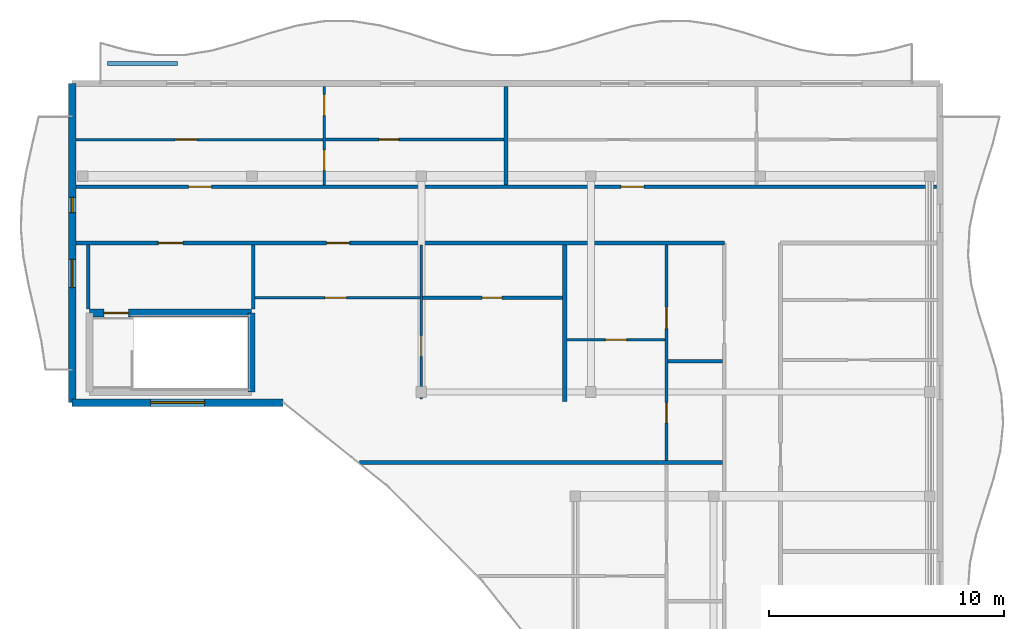
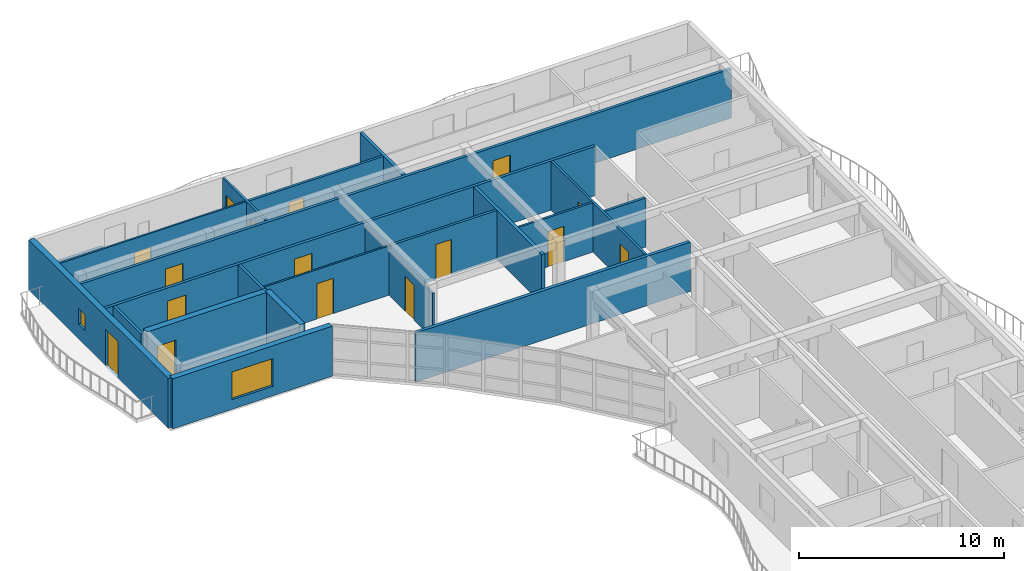
# One storey, part 10 of 14: 21 walls, 16 doors, 2 windows, 18 openings.
"""IFC4 building model written with IfcOpenShell, lengths in metres."""

from ifc_helpers import new_model, si_unit, direction, frame, frame_2d, origin, place, context, subcontext, project, spatial, rectangle, extrude, material, layer, layer_set, type_object, element, fill, save


model = new_model("IFC4")

# Units and contexts
model_context = context("Model", 3, precision=1e-05, world=origin(), true_north=direction((0.0, 1.0)))
body_context = subcontext(model_context, "Body", "Model", "MODEL_VIEW")
ifc_project = project(units=[si_unit("LENGTHUNIT", "METRE"), si_unit("AREAUNIT", "SQUARE_METRE"), si_unit("VOLUMEUNIT", "CUBIC_METRE"), si_unit("PLANEANGLEUNIT", "RADIAN"), si_unit("MASSUNIT", "GRAM", prefix="KILO")], contexts=[model_context])

# Site, building, storey
site_placement = place(None, origin())
site = spatial("IfcSite", under=ifc_project, at=site_placement, CompositionType="ELEMENT")
building_placement = place(site_placement, origin())
building = spatial("IfcBuilding", under=site, at=building_placement, Name="Keldmere Railside Commons", CompositionType="ELEMENT")
storey_placement = place(building_placement, frame((0.0, 0.0, 42.56005859375)))
storey = spatial("IfcBuildingStorey", under=building, at=storey_placement, Name="L13", CompositionType="ELEMENT", Elevation=42.56005859375)

# Walls
ifc_material_1 = material(Name="Acoustic Gypsum Board Partition", Category="gypsum")
ifc_layer_1 = layer(ifc_material_1, 0.179931640625, Name="Acoustic Demising Partition 180")
ifc_layer_set_1 = layer_set([ifc_layer_1], Name="Acoustic Gypsum Board Partition")
wall_type_1 = type_object("IfcWallType", Name="Acoustic Demising Partition 180", PredefinedType="PARTITIONING", material=ifc_layer_set_1)
wall_1_placement = place(storey_placement, frame((168.0, 100.050048828125, 0.0), z_axis=(0.0, 0.0, 1.0), x_axis=(0.0, 1.0, 0.0)))
element("IfcWall", 1, at=wall_1_placement, inside=storey, type_object=wall_type_1, Name="IW-1 IW-L13-1940", PredefinedType="PARTITIONING", context=body_context, shape_type="SweptSolid", body=[
    extrude(rectangle(XDim=6.669921875, YDim=0.179931640625, at=frame_2d((3.3349609375, 0.0))), origin(), (0.0, 0.0, 1.0), 2.93505859375),
])
wall_2_placement = place(storey_placement, frame((159.2548828125, 97.43994140625, 0.0), z_axis=(0.0, 0.0, 1.0), x_axis=(1.0, 0.0, 0.0)))
element("IfcWall", 2, at=wall_2_placement, inside=storey, type_object=wall_type_1, Name="IW-1 IW-L13-1945", PredefinedType="PARTITIONING", context=body_context, shape_type="SweptSolid", body=[
    extrude(rectangle(XDim=15.465087890625, YDim=0.179931640625, at=frame_2d((7.732421875, 0.0))), origin(), (0.0, 0.0, 1.0), 2.93505859375),
])
wall_3_placement = place(storey_placement, frame((165.5, 109.280029296875, 0.0), z_axis=(0.0, 0.0, 1.0), x_axis=(0.0, 1.0, 0.0)))
element("IfcWall", 3, at=wall_3_placement, inside=storey, type_object=wall_type_1, Name="IW-1 IW-L13-1958", PredefinedType="PARTITIONING", context=body_context, shape_type="SweptSolid", body=[
    extrude(rectangle(XDim=4.18994140625, YDim=0.179931640625, at=frame_2d((2.094970703125, 0.0))), origin(), (0.0, 0.0, 1.0), 2.93505859375),
])

# Wall, openings, doors
ifc_layer_2 = layer(ifc_material_1, 0.1201171875, Name="Apartment Interior Partition 120")
ifc_layer_set_2 = layer_set([ifc_layer_2], Name="Acoustic Gypsum Board Partition")
wall_type_2 = type_object("IfcWallType", Name="Apartment Interior Partition 120", PredefinedType="PARTITIONING", material=ifc_layer_set_2)
wall_4_placement = place(storey_placement, frame((172.340087890625, 97.530029296875, 0.0), z_axis=(0.0, 0.0, 1.0), x_axis=(0.0, 1.0, 0.0)))
wall_4 = element("IfcWall", 4, at=wall_4_placement, inside=storey, type_object=wall_type_2, Name="IW-4 IW-L13-1955", PredefinedType="PARTITIONING", context=body_context, shape_type="SweptSolid", body=[
    extrude(rectangle(XDim=9.18994140625, YDim=0.1201171875, at=frame_2d((4.594970703125, 0.0))), origin(), (0.0, 0.0, 1.0), 2.93505859375),
])
opening_1_placement = place(wall_4_placement, frame((1.607421875, 0.0, 0.0)))
opening_1 = element("IfcOpeningElement", 5, at=opening_1_placement, cuts=wall_4, Name="Opening ID-04", PredefinedType="OPENING", context=body_context, shape_type="SweptSolid", body=[
    extrude(rectangle(XDim=0.860107421875, YDim=2.10009765625, at=frame_2d((0.43017578125, 1.050048828125))), frame((0.0, 0.070068359375, 0.0), z_axis=(0.0, -1.0, 0.0), x_axis=(1.0, 0.0, 0.0)), (0.0, 0.0, 1.0), 0.14013671875),
])
opening_2_placement = place(wall_4_placement, frame((5.618896484375, 0.0, 0.0)))
opening_2 = element("IfcOpeningElement", 6, at=opening_2_placement, cuts=wall_4, Name="Opening ID-03", PredefinedType="OPENING", context=body_context, shape_type="SweptSolid", body=[
    extrude(rectangle(XDim=0.919921875, YDim=2.10009765625, at=frame_2d((0.4599609375, 1.050048828125))), frame((0.0, 0.070068359375, 0.0), z_axis=(0.0, -1.0, 0.0), x_axis=(1.0, 0.0, 0.0)), (0.0, 0.0, 1.0), 0.14013671875),
])
ifc_material_2 = material(Name="Engineered Oak Timber", Category="wood")
door_type_1 = type_object("IfcDoorType", Name="Apartment Bathroom Door 860x2100", OperationType="NOTDEFINED", PredefinedType="DOOR", material=ifc_material_2)
door_1_placement = place(opening_1_placement, origin())
door_1 = element("IfcDoor", 7, at=door_1_placement, inside=storey, type_object=door_type_1, Name="ID-04 IDR-L13-1792", OperationType="SINGLE_SWING_RIGHT", OverallHeight=2.10009765625, OverallWidth=0.860107421875, PredefinedType="DOOR", context=body_context, shape_type="SweptSolid", body=[
    extrude(rectangle(XDim=0.860107421875, YDim=2.10009765625, at=frame_2d((0.43017578125, 1.050048828125))), frame((0.0, 0.02490234375, 0.0), z_axis=(0.0, -1.0, 0.0), x_axis=(1.0, 0.0, 0.0)), (0.0, 0.0, 1.0), 0.050048828125),
])
fill(opening_1, door_1)
door_type_2 = type_object("IfcDoorType", Name="Kitchen Pocket-Frame Swing Door 920x2100", OperationType="NOTDEFINED", PredefinedType="DOOR", material=ifc_material_2)
door_2_placement = place(opening_2_placement, origin())
door_2 = element("IfcDoor", 8, at=door_2_placement, inside=storey, type_object=door_type_2, Name="ID-03 IDR-L13-1793", OperationType="SINGLE_SWING_LEFT", OverallHeight=2.10009765625, OverallWidth=0.919921875, PredefinedType="DOOR", context=body_context, shape_type="SweptSolid", body=[
    extrude(rectangle(XDim=0.919921875, YDim=2.10009765625, at=frame_2d((0.4599609375, 1.050048828125))), frame((0.0, 0.02490234375, 0.0), z_axis=(0.0, -1.0, 0.0), x_axis=(1.0, 0.0, 0.0)), (0.0, 0.0, 1.0), 0.050048828125),
])
fill(opening_2, door_2)

# Wall, opening, door
wall_5_placement = place(storey_placement, frame((168.090087890625, 102.679931640625, 0.0), z_axis=(0.0, 0.0, 1.0), x_axis=(1.0, 0.0, 0.0)))
wall_5 = element("IfcWall", 9, at=wall_5_placement, inside=storey, type_object=wall_type_2, Name="IW-4 IW-L13-1957", PredefinedType="PARTITIONING", context=body_context, shape_type="SweptSolid", body=[
    extrude(rectangle(XDim=4.18994140625, YDim=0.1201171875, at=frame_2d((2.094970703125, 0.0))), origin(), (0.0, 0.0, 1.0), 2.93505859375),
])
opening_3_placement = place(wall_5_placement, frame((1.64501953125, 0.0, 0.0)))
opening_3 = element("IfcOpeningElement", 10, at=opening_3_placement, cuts=wall_5, Name="Opening ID-01", PredefinedType="OPENING", context=body_context, shape_type="SweptSolid", body=[
    extrude(rectangle(XDim=0.89990234375, YDim=2.10009765625, at=frame_2d((0.449951171875, 1.050048828125))), frame((0.0, 0.070068359375, 0.0), z_axis=(0.0, -1.0, 0.0), x_axis=(1.0, 0.0, 0.0)), (0.0, 0.0, 1.0), 0.14013671875),
])
door_type_3 = type_object("IfcDoorType", Name="Primary Bedroom Door 900x2100", OperationType="NOTDEFINED", PredefinedType="DOOR", material=ifc_material_2)
door_3_placement = place(opening_3_placement, origin())
door_3 = element("IfcDoor", 11, at=door_3_placement, inside=storey, type_object=door_type_3, Name="ID-01 IDR-L13-1795", OperationType="SINGLE_SWING_LEFT", OverallHeight=2.10009765625, OverallWidth=0.89990234375, PredefinedType="DOOR", context=body_context, shape_type="SweptSolid", body=[
    extrude(rectangle(XDim=0.89990234375, YDim=2.10009765625, at=frame_2d((0.449951171875, 1.050048828125))), frame((0.0, 0.02490234375, 0.0), z_axis=(0.0, -1.0, 0.0), x_axis=(1.0, 0.0, 0.0)), (0.0, 0.0, 1.0), 0.050048828125),
])
fill(opening_3, door_3)

# Wall, openings, doors
wall_6_placement = place(storey_placement, frame((157.75, 109.280029296875, 0.0), z_axis=(0.0, 0.0, 1.0), x_axis=(0.0, 1.0, 0.0)))
wall_6 = element("IfcWall", 12, at=wall_6_placement, inside=storey, type_object=wall_type_2, Name="IW-4 IW-L13-1959", PredefinedType="PARTITIONING", context=body_context, shape_type="SweptSolid", body=[
    extrude(rectangle(XDim=4.18994140625, YDim=0.1201171875, at=frame_2d((2.094970703125, 0.0))), origin(), (0.0, 0.0, 1.0), 2.93505859375),
])
opening_4_placement = place(wall_6_placement, frame((0.61767578125, 0.0, 0.0)))
opening_4 = element("IfcOpeningElement", 13, at=opening_4_placement, cuts=wall_6, Name="Opening ID-04", PredefinedType="OPENING", context=body_context, shape_type="SweptSolid", body=[
    extrude(rectangle(XDim=0.860107421875, YDim=2.10009765625, at=frame_2d((0.43017578125, 1.050048828125))), frame((0.0, 0.070068359375, 0.0), z_axis=(0.0, -1.0, 0.0), x_axis=(1.0, 0.0, 0.0)), (0.0, 0.0, 1.0), 0.14013671875),
])
opening_5_placement = place(wall_6_placement, frame((2.947021484375, 0.0, 0.0)))
opening_5 = element("IfcOpeningElement", 14, at=opening_5_placement, cuts=wall_6, Name="Opening ID-01", PredefinedType="OPENING", context=body_context, shape_type="SweptSolid", body=[
    extrude(rectangle(XDim=0.89990234375, YDim=2.10009765625, at=frame_2d((0.449951171875, 1.050048828125))), frame((0.0, 0.070068359375, 0.0), z_axis=(0.0, -1.0, 0.0), x_axis=(1.0, 0.0, 0.0)), (0.0, 0.0, 1.0), 0.14013671875),
])
door_4_placement = place(opening_4_placement, origin())
door_4 = element("IfcDoor", 15, at=door_4_placement, inside=storey, type_object=door_type_1, Name="ID-04 IDR-L13-1798", OperationType="SINGLE_SWING_RIGHT", OverallHeight=2.10009765625, OverallWidth=0.860107421875, PredefinedType="DOOR", context=body_context, shape_type="SweptSolid", body=[
    extrude(rectangle(XDim=0.860107421875, YDim=2.10009765625, at=frame_2d((0.43017578125, 1.050048828125))), frame((0.0, 0.02490234375, 0.0), z_axis=(0.0, -1.0, 0.0), x_axis=(1.0, 0.0, 0.0)), (0.0, 0.0, 1.0), 0.050048828125),
])
fill(opening_4, door_4)
door_5_placement = place(opening_5_placement, origin())
door_5 = element("IfcDoor", 16, at=door_5_placement, inside=storey, type_object=door_type_3, Name="ID-01 IDR-L13-1799", OperationType="SINGLE_SWING_LEFT", OverallHeight=2.10009765625, OverallWidth=0.89990234375, PredefinedType="DOOR", context=body_context, shape_type="SweptSolid", body=[
    extrude(rectangle(XDim=0.89990234375, YDim=2.10009765625, at=frame_2d((0.449951171875, 1.050048828125))), frame((0.0, 0.02490234375, 0.0), z_axis=(0.0, -1.0, 0.0), x_axis=(1.0, 0.0, 0.0)), (0.0, 0.0, 1.0), 0.050048828125),
])
fill(opening_5, door_5)

# Wall, opening, door
wall_7_placement = place(storey_placement, frame((161.8798828125, 100.159912109375, 0.0), z_axis=(0.0, 0.0, 1.0), x_axis=(0.0, 1.0, 0.0)))
wall_7 = element("IfcWall", 17, at=wall_7_placement, inside=storey, type_object=wall_type_2, Name="IW-4 IW-L13-1965", PredefinedType="PARTITIONING", context=body_context, shape_type="SweptSolid", body=[
    extrude(rectangle(XDim=6.56005859375, YDim=0.1201171875, at=frame_2d((3.280029296875, 0.0))), origin(), (0.0, 0.0, 1.0), 2.679931640625),
])
opening_6_placement = place(wall_7_placement, frame((1.810302734375, 0.0, 0.0)))
opening_6 = element("IfcOpeningElement", 18, at=opening_6_placement, cuts=wall_7, Name="Opening ID-02", PredefinedType="OPENING", context=body_context, shape_type="SweptSolid", body=[
    extrude(rectangle(XDim=0.8798828125, YDim=2.10009765625, at=frame_2d((0.43994140625, 1.050048828125))), frame((0.0, 0.070068359375, 0.0), z_axis=(0.0, -1.0, 0.0), x_axis=(1.0, 0.0, 0.0)), (0.0, 0.0, 1.0), 0.14013671875),
])
door_type_4 = type_object("IfcDoorType", Name="Secondary Bedroom Door 880x2100", OperationType="NOTDEFINED", PredefinedType="DOOR", material=ifc_material_2)
door_6_placement = place(opening_6_placement, origin())
door_6 = element("IfcDoor", 19, at=door_6_placement, inside=storey, type_object=door_type_4, Name="ID-02 IDR-L13-1807", OperationType="SINGLE_SWING_LEFT", OverallHeight=2.10009765625, OverallWidth=0.8798828125, PredefinedType="DOOR", context=body_context, shape_type="SweptSolid", body=[
    extrude(rectangle(XDim=0.8798828125, YDim=2.10009765625, at=frame_2d((0.43994140625, 1.050048828125))), frame((0.0, 0.02490234375, 0.0), z_axis=(0.0, -1.0, 0.0), x_axis=(1.0, 0.0, 0.0)), (0.0, 0.0, 1.0), 0.050048828125),
])
fill(opening_6, door_6)

# Wall
ifc_material_3 = material(Name="White Precast Concrete H-35 (C35/45)", Category="concrete")
ifc_layer_3 = layer(ifc_material_3, 0.169921875, Name="Balcony Planter Kerb Wall 170")
ifc_layer_set_3 = layer_set([ifc_layer_3], Name="White Precast Concrete H-35 (C35/45)")
wall_type_3 = type_object("IfcWallType", Name="Balcony Planter Kerb Wall 170", PredefinedType="PARAPET", material=ifc_layer_set_3)
wall_8_placement = place(storey_placement, frame((148.5, 114.449951171875, 0.0), z_axis=(0.0, 0.0, 1.0), x_axis=(1.0, 0.0, 0.0)))
element("IfcWall", 20, at=wall_8_placement, inside=storey, type_object=wall_type_3, Name="PW-2 PKBA-L13-0971", PredefinedType="PARAPET", context=body_context, shape_type="SweptSolid", body=[
    extrude(rectangle(XDim=3.0, YDim=0.169921875, at=frame_2d((1.5, 0.0))), origin(), (0.0, 0.0, 1.0), 0.449951171875),
])

# Wall, opening, door
ifc_layer_4 = layer(ifc_material_1, 0.10009765625, Name="Closet Light Partition 100")
ifc_layer_set_4 = layer_set([ifc_layer_4], Name="Acoustic Gypsum Board Partition")
wall_type_4 = type_object("IfcWallType", Name="Closet Light Partition 100", PredefinedType="PARTITIONING", material=ifc_layer_set_4)
wall_9_placement = place(storey_placement, frame((147.159912109375, 111.2099609375, 0.0), z_axis=(0.0, 0.0, 1.0), x_axis=(1.0, 0.0, 0.0)))
wall_9 = element("IfcWall", 21, at=wall_9_placement, inside=storey, type_object=wall_type_4, Name="IW-6 IW-L13-1961", PredefinedType="PARTITIONING", context=body_context, shape_type="SweptSolid", body=[
    extrude(rectangle(XDim=10.530029296875, YDim=0.10009765625, at=frame_2d((5.26513671875, 0.0))), origin(), (0.0, 0.0, 1.0), 2.93505859375),
])
opening_7_placement = place(wall_9_placement, frame((4.236083984375, 0.0, 0.0)))
opening_7 = element("IfcOpeningElement", 22, at=opening_7_placement, cuts=wall_9, Name="Opening ID-03", PredefinedType="OPENING", context=body_context, shape_type="SweptSolid", body=[
    extrude(rectangle(XDim=0.919921875, YDim=2.10009765625, at=frame_2d((0.4599609375, 1.050048828125))), frame((0.0, 0.06005859375, 0.0), z_axis=(0.0, -1.0, 0.0), x_axis=(1.0, 0.0, 0.0)), (0.0, 0.0, 1.0), 0.1201171875),
])
door_7_placement = place(opening_7_placement, origin())
door_7 = element("IfcDoor", 23, at=door_7_placement, inside=storey, type_object=door_type_2, Name="ID-03 IDR-L13-1797", OperationType="SINGLE_SWING_LEFT", OverallHeight=2.10009765625, OverallWidth=0.919921875, PredefinedType="DOOR", context=body_context, shape_type="SweptSolid", body=[
    extrude(rectangle(XDim=0.919921875, YDim=2.10009765625, at=frame_2d((0.4599609375, 1.050048828125))), frame((0.0, 0.02490234375, 0.0), z_axis=(0.0, -1.0, 0.0), x_axis=(1.0, 0.0, 0.0)), (0.0, 0.0, 1.0), 0.050048828125),
])
fill(opening_7, door_7)

wall_10_placement = place(storey_placement, frame((154.800048828125, 104.469970703125, 0.0), z_axis=(0.0, 0.0, 1.0), x_axis=(1.0, 0.0, 0.0)))
wall_10 = element("IfcWall", 24, at=wall_10_placement, inside=storey, type_object=wall_type_4, Name="IW-6 IW-L13-1967", PredefinedType="PARTITIONING", context=body_context, shape_type="SweptSolid", body=[
    extrude(rectangle(XDim=7.02001953125, YDim=0.10009765625, at=frame_2d((3.510009765625, 0.0))), origin(), (0.0, 0.0, 1.0), 2.93505859375),
])
opening_8_placement = place(wall_10_placement, frame((2.9736328125, 0.0, 0.0)))
opening_8 = element("IfcOpeningElement", 25, at=opening_8_placement, cuts=wall_10, Name="Opening ID-03", PredefinedType="OPENING", context=body_context, shape_type="SweptSolid", body=[
    extrude(rectangle(XDim=0.919921875, YDim=2.10009765625, at=frame_2d((0.4599609375, 1.050048828125))), frame((0.0, 0.06005859375, 0.0), z_axis=(0.0, -1.0, 0.0), x_axis=(1.0, 0.0, 0.0)), (0.0, 0.0, 1.0), 0.1201171875),
])
door_8_placement = place(opening_8_placement, origin())
door_8 = element("IfcDoor", 26, at=door_8_placement, inside=storey, type_object=door_type_2, Name="ID-03 IDR-L13-1806", OperationType="SINGLE_SWING_RIGHT", OverallHeight=2.10009765625, OverallWidth=0.919921875, PredefinedType="DOOR", context=body_context, shape_type="SweptSolid", body=[
    extrude(rectangle(XDim=0.919921875, YDim=2.10009765625, at=frame_2d((0.4599609375, 1.050048828125))), frame((0.0, 0.02490234375, 0.0), z_axis=(0.0, -1.0, 0.0), x_axis=(1.0, 0.0, 0.0)), (0.0, 0.0, 1.0), 0.050048828125),
])
fill(opening_8, door_8)

# Wall, openings, doors
ifc_layer_5 = layer(ifc_material_1, 0.159912109375, Name="Corridor Fire Partition 160")
ifc_layer_set_5 = layer_set([ifc_layer_5], Name="Acoustic Gypsum Board Partition")
wall_type_5 = type_object("IfcWallType", Name="Corridor Fire Partition 160", PredefinedType="PARTITIONING", material=ifc_layer_set_5)
wall_11_placement = place(storey_placement, frame((147.159912109375, 106.800048828125, 0.0), z_axis=(0.0, 0.0, 1.0), x_axis=(1.0, 0.0, 0.0)))
wall_11 = element("IfcWall", 27, at=wall_11_placement, inside=storey, type_object=wall_type_5, Name="IW-2 IW-L13-1937", PredefinedType="PARTITIONING", context=body_context, shape_type="SweptSolid", body=[
    extrude(rectangle(XDim=27.64013671875, YDim=0.159912109375, at=frame_2d((13.820068359375, 0.0))), origin(), (0.0, 0.0, 1.0), 2.93505859375),
])
opening_9_placement = place(wall_11_placement, frame((3.514892578125, 0.0, 0.0)))
opening_9 = element("IfcOpeningElement", 28, at=opening_9_placement, cuts=wall_11, Name="Opening FD-1", PredefinedType="OPENING", context=body_context, shape_type="SweptSolid", body=[
    extrude(rectangle(XDim=1.050048828125, YDim=2.14990234375, at=frame_2d((0.52490234375, 1.074951171875))), frame((0.0, 0.08984375, 0.0), z_axis=(0.0, -1.0, 0.0), x_axis=(1.0, 0.0, 0.0)), (0.0, 0.0, 1.0), 0.179931640625),
])
opening_10_placement = place(wall_11_placement, frame((10.68994140625, 0.0, 0.0)))
opening_10 = element("IfcOpeningElement", 29, at=opening_10_placement, cuts=wall_11, Name="Opening FD-7", PredefinedType="OPENING", context=body_context, shape_type="SweptSolid", body=[
    extrude(rectangle(XDim=0.97998046875, YDim=2.14990234375, at=frame_2d((0.489990234375, 1.074951171875))), frame((0.0, 0.08984375, 0.0), z_axis=(0.0, -1.0, 0.0), x_axis=(1.0, 0.0, 0.0)), (0.0, 0.0, 1.0), 0.179931640625),
])
door_type_5 = type_object("IfcDoorType", Name="Apartment Entrance Acoustic Fire Door 980x2150", OperationType="NOTDEFINED", PredefinedType="DOOR", material=ifc_material_2)
door_9_placement = place(opening_10_placement, origin())
door_9 = element("IfcDoor", 30, at=door_9_placement, inside=storey, type_object=door_type_5, Name="FD-7 IDR-L13-1805", OperationType="SINGLE_SWING_LEFT", OverallHeight=2.14990234375, OverallWidth=0.97998046875, PredefinedType="DOOR", context=body_context, shape_type="SweptSolid", body=[
    extrude(rectangle(XDim=0.97998046875, YDim=2.14990234375, at=frame_2d((0.489990234375, 1.074951171875))), frame((0.0, 0.02490234375, 0.0), z_axis=(0.0, -1.0, 0.0), x_axis=(1.0, 0.0, 0.0)), (0.0, 0.0, 1.0), 0.050048828125),
])
fill(opening_10, door_9)
ifc_material_4 = material(Name="Steel F-24 (S235)", Category="steel")
door_type_6 = type_object("IfcDoorType", Name="Stair Core Fire Door 1050x2150", OperationType="NOTDEFINED", PredefinedType="DOOR", material=ifc_material_4)
door_10_placement = place(opening_9_placement, origin())
door_10 = element("IfcDoor", 31, at=door_10_placement, inside=storey, type_object=door_type_6, Name="FD-1 IDR-L13-1777", OperationType="SINGLE_SWING_LEFT", OverallHeight=2.14990234375, OverallWidth=1.050048828125, PredefinedType="DOOR", context=body_context, shape_type="SweptSolid", body=[
    extrude(rectangle(XDim=1.050048828125, YDim=2.14990234375, at=frame_2d((0.52490234375, 1.074951171875))), frame((0.0, 0.02490234375, 0.0), z_axis=(0.0, -1.0, 0.0), x_axis=(1.0, 0.0, 0.0)), (0.0, 0.0, 1.0), 0.050048828125),
])
fill(opening_9, door_10)

wall_12_placement = place(storey_placement, frame((147.159912109375, 109.199951171875, 0.0), z_axis=(0.0, 0.0, 1.0), x_axis=(1.0, 0.0, 0.0)))
wall_12 = element("IfcWall", 32, at=wall_12_placement, inside=storey, type_object=wall_type_5, Name="IW-2 IW-L13-1939", PredefinedType="PARTITIONING", context=body_context, shape_type="SweptSolid", body=[
    extrude(rectangle(XDim=36.68017578125, YDim=0.159912109375, at=frame_2d((18.340087890625, 0.0))), origin(), (0.0, 0.0, 1.0), 2.93505859375),
])
opening_11_placement = place(wall_12_placement, frame((4.804931640625, 0.0, 0.0)))
opening_11 = element("IfcOpeningElement", 33, at=opening_11_placement, cuts=wall_12, Name="Opening FD-7", PredefinedType="OPENING", context=body_context, shape_type="SweptSolid", body=[
    extrude(rectangle(XDim=0.97998046875, YDim=2.14990234375, at=frame_2d((0.489990234375, 1.074951171875))), frame((0.0, 0.08984375, 0.0), z_axis=(0.0, -1.0, 0.0), x_axis=(1.0, 0.0, 0.0)), (0.0, 0.0, 1.0), 0.179931640625),
])
opening_12_placement = place(wall_12_placement, frame((23.235107421875, 0.0, 0.0)))
opening_12 = element("IfcOpeningElement", 34, at=opening_12_placement, cuts=wall_12, Name="Opening FD-7", PredefinedType="OPENING", context=body_context, shape_type="SweptSolid", body=[
    extrude(rectangle(XDim=0.97998046875, YDim=2.14990234375, at=frame_2d((0.489990234375, 1.074951171875))), frame((0.0, 0.08984375, 0.0), z_axis=(0.0, -1.0, 0.0), x_axis=(1.0, 0.0, 0.0)), (0.0, 0.0, 1.0), 0.179931640625),
])
door_11_placement = place(opening_11_placement, origin())
door_11 = element("IfcDoor", 35, at=door_11_placement, inside=storey, type_object=door_type_5, Name="FD-7 IDR-L13-1796", OperationType="SINGLE_SWING_RIGHT", OverallHeight=2.14990234375, OverallWidth=0.97998046875, PredefinedType="DOOR", context=body_context, shape_type="SweptSolid", body=[
    extrude(rectangle(XDim=0.97998046875, YDim=2.14990234375, at=frame_2d((0.489990234375, 1.074951171875))), frame((0.0, 0.02490234375, 0.0), z_axis=(0.0, -1.0, 0.0), x_axis=(1.0, 0.0, 0.0)), (0.0, 0.0, 1.0), 0.050048828125),
])
fill(opening_11, door_11)
door_12_placement = place(opening_12_placement, origin())
door_12 = element("IfcDoor", 36, at=door_12_placement, inside=storey, type_object=door_type_5, Name="FD-7 IDR-L13-1801", OperationType="SINGLE_SWING_LEFT", OverallHeight=2.14990234375, OverallWidth=0.97998046875, PredefinedType="DOOR", context=body_context, shape_type="SweptSolid", body=[
    extrude(rectangle(XDim=0.97998046875, YDim=2.14990234375, at=frame_2d((0.489990234375, 1.074951171875))), frame((0.0, 0.02490234375, 0.0), z_axis=(0.0, -1.0, 0.0), x_axis=(1.0, 0.0, 0.0)), (0.0, 0.0, 1.0), 0.050048828125),
])
fill(opening_12, door_12)

# Wall, openings, door, window
ifc_material_5 = material(Name="Concrete H-35 (C35/45)", Category="concrete")
ifc_layer_6 = layer(ifc_material_5, 0.320068359375, Name="Exterior Shear Wall 320")
ifc_layer_set_6 = layer_set([ifc_layer_6], Name="Concrete H-35 (C35/45)")
wall_type_6 = type_object("IfcWallType", Name="Exterior Shear Wall 320", PredefinedType="SHEAR", material=ifc_layer_set_6)
wall_13_placement = place(storey_placement, frame((147.0, 100.0, 0.0), z_axis=(0.0, 0.0, 1.0), x_axis=(0.0, 1.0, 0.0)))
wall_13 = element("IfcWall", 37, at=wall_13_placement, inside=storey, type_object=wall_type_6, Name="ESW-2 EXTA-L13-0968", PredefinedType="SHEAR", context=body_context, shape_type="SweptSolid", body=[
    extrude(rectangle(XDim=13.60009765625, YDim=0.320068359375, at=frame_2d((6.800048828125, 0.0))), origin(), (0.0, 0.0, 1.0), 2.97998046875),
])
opening_13_placement = place(wall_13_placement, frame((4.89990234375, 0.0, 0.0)))
opening_13 = element("IfcOpeningElement", 38, at=opening_13_placement, cuts=wall_13, Name="Opening BD-01", PredefinedType="OPENING", context=body_context, shape_type="SweptSolid", body=[
    extrude(rectangle(XDim=1.199951171875, YDim=2.199951171875, at=frame_2d((0.60009765625, 1.10009765625))), frame((0.0, 0.169921875, 0.0), z_axis=(0.0, -1.0, 0.0), x_axis=(1.0, 0.0, 0.0)), (0.0, 0.0, 1.0), 0.340087890625),
])
opening_14_placement = place(wall_13_placement, frame((8.10009765625, 0.0, 0.89990234375)))
opening_14 = element("IfcOpeningElement", 39, at=opening_14_placement, cuts=wall_13, Name="Opening WN-15", PredefinedType="OPENING", context=body_context, shape_type="SweptSolid", body=[
    extrude(rectangle(XDim=0.64990234375, YDim=0.949951171875, at=frame_2d((0.324951171875, 0.47509765625))), frame((0.0, 0.169921875, 0.0), z_axis=(0.0, -1.0, 0.0), x_axis=(1.0, 0.0, 0.0)), (0.0, 0.0, 1.0), 0.340087890625),
])
ifc_material_6 = material(Name="Thermally Broken Aluminium", Category="aluminium")
door_type_7 = type_object("IfcDoorType", Name="Apartment Living Wave-Balcony Glazed Door 1200x2200", OperationType="NOTDEFINED", PredefinedType="DOOR", material=ifc_material_6)
door_13_placement = place(opening_13_placement, origin())
door_13 = element("IfcDoor", 40, at=door_13_placement, inside=storey, type_object=door_type_7, Name="BD-01 DR-L13-0295", OperationType="SINGLE_SWING_LEFT", OverallHeight=2.199951171875, OverallWidth=1.199951171875, PredefinedType="DOOR", context=body_context, shape_type="SweptSolid", body=[
    extrude(rectangle(XDim=1.199951171875, YDim=2.199951171875, at=frame_2d((0.60009765625, 1.10009765625))), frame((0.0, 0.02490234375, 0.0), z_axis=(0.0, -1.0, 0.0), x_axis=(1.0, 0.0, 0.0)), (0.0, 0.0, 1.0), 0.050048828125),
])
fill(opening_13, door_13)
ifc_material_7 = material(Name="Low-E Insulated Double Glazing", Category="glass")
window_type_1 = type_object("IfcWindowType", Name="Exterior Bathroom Frosted Window 650x950", PartitioningType="SINGLE_PANEL", PredefinedType="WINDOW", material=ifc_material_7)
window_1_placement = place(opening_14_placement, origin())
window_1 = element("IfcWindow", 41, at=window_1_placement, inside=storey, type_object=window_type_1, Name="WN-15 WIN-L13-0812", OverallHeight=0.949951171875, OverallWidth=0.64990234375, PartitioningType="SINGLE_PANEL", PredefinedType="WINDOW", context=body_context, shape_type="SweptSolid", body=[
    extrude(rectangle(XDim=0.64990234375, YDim=0.949951171875, at=frame_2d((0.324951171875, 0.47509765625))), frame((0.0, 0.030029296875, 0.0), z_axis=(0.0, -1.0, 0.0), x_axis=(1.0, 0.0, 0.0)), (0.0, 0.0, 1.0), 0.06005859375),
])
fill(opening_14, window_1)

# Wall, opening, window
wall_14_placement = place(storey_placement, frame((156.0, 100.0, 0.0), z_axis=(0.0, 0.0, 1.0), x_axis=(-1.0, 0.0, 0.0)))
wall_14 = element("IfcWall", 42, at=wall_14_placement, inside=storey, type_object=wall_type_6, Name="ESW-2 EXTA-L13-0969", PredefinedType="SHEAR", context=body_context, shape_type="SweptSolid", body=[
    extrude(rectangle(XDim=9.0, YDim=0.320068359375, at=frame_2d((4.5, 0.0))), origin(), (0.0, 0.0, 1.0), 2.97998046875),
])
opening_15_placement = place(wall_14_placement, frame((3.35009765625, 0.0, 0.570068359375)))
opening_15 = element("IfcOpeningElement", 43, at=opening_15_placement, cuts=wall_14, Name="Opening WN-23", PredefinedType="OPENING", context=body_context, shape_type="SweptSolid", body=[
    extrude(rectangle(XDim=2.300048828125, YDim=1.64990234375, at=frame_2d((1.14990234375, 0.824951171875))), frame((0.0, 0.169921875, 0.0), z_axis=(0.0, -1.0, 0.0), x_axis=(1.0, 0.0, 0.0)), (0.0, 0.0, 1.0), 0.340087890625),
])
window_type_2 = type_object("IfcWindowType", Name="Setback Terrace Penthouse Window 2300x1650", PartitioningType="SINGLE_PANEL", PredefinedType="WINDOW", material=ifc_material_7)
window_2_placement = place(opening_15_placement, origin())
window_2 = element("IfcWindow", 44, at=window_2_placement, inside=storey, type_object=window_type_2, Name="WN-23 WIN-L13-0813", OverallHeight=1.64990234375, OverallWidth=2.300048828125, PartitioningType="SINGLE_PANEL", PredefinedType="WINDOW", context=body_context, shape_type="SweptSolid", body=[
    extrude(rectangle(XDim=2.300048828125, YDim=1.64990234375, at=frame_2d((1.14990234375, 0.824951171875))), frame((0.0, 0.030029296875, 0.0), z_axis=(0.0, -1.0, 0.0), x_axis=(1.0, 0.0, 0.0)), (0.0, 0.0, 1.0), 0.06005859375),
])
fill(opening_15, window_2)

# Wall
ifc_layer_7 = layer(ifc_material_5, 0.300048828125, Name="Interior Shear Wall 300")
ifc_layer_set_7 = layer_set([ifc_layer_7], Name="Concrete H-35 (C35/45)")
wall_type_7 = type_object("IfcWallType", Name="Interior Shear Wall 300", PredefinedType="SHEAR", material=ifc_layer_set_7)
wall_15_placement = place(storey_placement, frame((154.64990234375, 100.449951171875, 0.0), z_axis=(0.0, 0.0, 1.0), x_axis=(0.0, 1.0, 0.0)))
element("IfcWall", 45, at=wall_15_placement, inside=storey, type_object=wall_type_7, Name="ISW-2 COREA2E-L13-0875", PredefinedType="SHEAR", context=body_context, shape_type="SweptSolid", body=[
    extrude(rectangle(XDim=3.3701171875, YDim=0.300048828125, at=frame_2d((1.68505859375, 0.0))), origin(), (0.0, 0.0, 1.0), 3.199951171875),
])

# Wall, opening, door
ifc_layer_8 = layer(ifc_material_5, 0.340087890625, Name="Interior Shear Wall 340")
ifc_layer_set_8 = layer_set([ifc_layer_8], Name="Concrete H-35 (C35/45)")
wall_type_8 = type_object("IfcWallType", Name="Interior Shear Wall 340", PredefinedType="SHEAR", material=ifc_layer_set_8)
wall_16_placement = place(storey_placement, frame((154.64990234375, 103.820068359375, 0.0), z_axis=(0.0, 0.0, 1.0), x_axis=(-1.0, 0.0, 0.0)))
wall_16 = element("IfcWall", 46, at=wall_16_placement, inside=storey, type_object=wall_type_8, Name="ISW-1 COREA2N-L13-0873", PredefinedType="SHEAR", context=body_context, shape_type="SweptSolid", body=[
    extrude(rectangle(XDim=6.89990234375, YDim=0.340087890625, at=frame_2d((3.449951171875, 0.0))), origin(), (0.0, 0.0, 1.0), 3.199951171875),
])
opening_16_placement = place(wall_16_placement, frame((5.25, 0.0, 0.0)))
opening_16 = element("IfcOpeningElement", 47, at=opening_16_placement, cuts=wall_16, Name="Opening FD-1", PredefinedType="OPENING", context=body_context, shape_type="SweptSolid", body=[
    extrude(rectangle(XDim=1.050048828125, YDim=2.14990234375, at=frame_2d((0.52490234375, 1.074951171875))), frame((0.0, 0.179931640625, 0.0), z_axis=(0.0, -1.0, 0.0), x_axis=(1.0, 0.0, 0.0)), (0.0, 0.0, 1.0), 0.360107421875),
])
door_14_placement = place(opening_16_placement, origin())
door_14 = element("IfcDoor", 48, at=door_14_placement, inside=storey, type_object=door_type_6, Name="FD-1 A2 L13", OperationType="SINGLE_SWING_RIGHT", OverallHeight=2.14990234375, OverallWidth=1.050048828125, PredefinedType="DOOR", context=body_context, shape_type="SweptSolid", body=[
    extrude(rectangle(XDim=1.050048828125, YDim=2.14990234375, at=frame_2d((0.52490234375, 1.074951171875))), frame((0.0, 0.02490234375, 0.0), z_axis=(0.0, -1.0, 0.0), x_axis=(1.0, 0.0, 0.0)), (0.0, 0.0, 1.0), 0.050048828125),
])
fill(opening_16, door_14)

# Walls
ifc_layer_9 = layer(ifc_material_1, 0.14990234375, Name="Lobby Rated Partition 150")
ifc_layer_set_9 = layer_set([ifc_layer_9], Name="Acoustic Gypsum Board Partition")
wall_type_9 = type_object("IfcWallType", Name="Lobby Rated Partition 150", PredefinedType="PARTITIONING", material=ifc_layer_set_9)
for number, where, z_axis, x_axis, name in (
    (49, (147.679931640625, 103.989990234375, 0.0), (0.0, 0.0, 1.0), (0.0, 1.0, 0.0), "IW-3 IW-L13-1941"),
    (50, (154.719970703125, 103.989990234375, 0.0), (0.0, 0.0, 1.0), (0.0, 1.0, 0.0), "IW-3 IW-L13-1942"),
):
    element("IfcWall", number, at=place(storey_placement, frame(where, z_axis=z_axis, x_axis=x_axis)), inside=storey, type_object=wall_type_9, Name=name, PredefinedType="PARTITIONING", context=body_context, shape_type="SweptSolid", body=[
        extrude(rectangle(XDim=2.72998046875, YDim=0.14990234375, at=frame_2d((1.364990234375, 0.0))), origin(), (0.0, 0.0, 1.0), 2.93505859375),
    ])
ifc_layer_10 = layer(ifc_material_1, 0.139892578125, Name="Wet-Room Sanitary Partition 140")
ifc_layer_set_10 = layer_set([ifc_layer_10], Name="Acoustic Gypsum Board Partition")
wall_type_10 = type_object("IfcWallType", Name="Wet-Room Sanitary Partition 140", PredefinedType="PARTITIONING", material=ifc_layer_set_10)
wall_17_placement = place(storey_placement, frame((172.39990234375, 101.760009765625, 0.0), z_axis=(0.0, 0.0, 1.0), x_axis=(1.0, 0.0, 0.0)))
element("IfcWall", 51, at=wall_17_placement, inside=storey, type_object=wall_type_10, Name="IW-5 IW-L13-1956", PredefinedType="PARTITIONING", context=body_context, shape_type="SweptSolid", body=[
    extrude(rectangle(XDim=2.320068359375, YDim=0.139892578125, at=frame_2d((1.16015625, 0.0))), origin(), (0.0, 0.0, 1.0), 2.93505859375),
])

# Wall, opening, door
wall_18_placement = place(storey_placement, frame((157.81005859375, 111.2099609375, 0.0), z_axis=(0.0, 0.0, 1.0), x_axis=(1.0, 0.0, 0.0)))
wall_18 = element("IfcWall", 52, at=wall_18_placement, inside=storey, type_object=wall_type_10, Name="IW-5 IW-L13-1960", PredefinedType="PARTITIONING", context=body_context, shape_type="SweptSolid", body=[
    extrude(rectangle(XDim=7.599853515625, YDim=0.139892578125, at=frame_2d((3.7998046875, 0.0))), origin(), (0.0, 0.0, 1.0), 2.93505859375),
])
opening_17_placement = place(wall_18_placement, frame((2.263916015625, 0.0, 0.0)))
opening_17 = element("IfcOpeningElement", 53, at=opening_17_placement, cuts=wall_18, Name="Opening ID-06", PredefinedType="OPENING", context=body_context, shape_type="SweptSolid", body=[
    extrude(rectangle(XDim=0.85009765625, YDim=2.050048828125, at=frame_2d((0.425048828125, 1.02490234375))), frame((0.0, 0.079833984375, 0.0), z_axis=(0.0, -1.0, 0.0), x_axis=(1.0, 0.0, 0.0)), (0.0, 0.0, 1.0), 0.159912109375),
])
door_type_8 = type_object("IfcDoorType", Name="Storage Closet Door 850x2050", OperationType="NOTDEFINED", PredefinedType="DOOR", material=ifc_material_2)
door_15_placement = place(opening_17_placement, origin())
door_15 = element("IfcDoor", 54, at=door_15_placement, inside=storey, type_object=door_type_8, Name="ID-06 IDR-L13-1800", OperationType="SINGLE_SWING_RIGHT", OverallHeight=2.050048828125, OverallWidth=0.85009765625, PredefinedType="DOOR", context=body_context, shape_type="SweptSolid", body=[
    extrude(rectangle(XDim=0.85009765625, YDim=2.050048828125, at=frame_2d((0.425048828125, 1.02490234375))), frame((0.0, 0.02490234375, 0.0), z_axis=(0.0, -1.0, 0.0), x_axis=(1.0, 0.0, 0.0)), (0.0, 0.0, 1.0), 0.050048828125),
])
fill(opening_17, door_15)

wall_19_placement = place(storey_placement, frame((161.93994140625, 104.469970703125, 0.0), z_axis=(0.0, 0.0, 1.0), x_axis=(1.0, 0.0, 0.0)))
wall_19 = element("IfcWall", 55, at=wall_19_placement, inside=storey, type_object=wall_type_10, Name="IW-5 IW-L13-1966", PredefinedType="PARTITIONING", context=body_context, shape_type="SweptSolid", body=[
    extrude(rectangle(XDim=5.969970703125, YDim=0.139892578125, at=frame_2d((2.98486328125, 0.0))), origin(), (0.0, 0.0, 1.0), 2.93505859375),
])
opening_18_placement = place(wall_19_placement, frame((2.53271484375, 0.0, 0.0)))
opening_18 = element("IfcOpeningElement", 56, at=opening_18_placement, cuts=wall_19, Name="Opening ID-04", PredefinedType="OPENING", context=body_context, shape_type="SweptSolid", body=[
    extrude(rectangle(XDim=0.860107421875, YDim=2.10009765625, at=frame_2d((0.43017578125, 1.050048828125))), frame((0.0, 0.079833984375, 0.0), z_axis=(0.0, -1.0, 0.0), x_axis=(1.0, 0.0, 0.0)), (0.0, 0.0, 1.0), 0.159912109375),
])
door_16_placement = place(opening_18_placement, origin())
door_16 = element("IfcDoor", 57, at=door_16_placement, inside=storey, type_object=door_type_1, Name="ID-04 IDR-L13-1808", OperationType="SINGLE_SWING_RIGHT", OverallHeight=2.10009765625, OverallWidth=0.860107421875, PredefinedType="DOOR", context=body_context, shape_type="SweptSolid", body=[
    extrude(rectangle(XDim=0.860107421875, YDim=2.10009765625, at=frame_2d((0.43017578125, 1.050048828125))), frame((0.0, 0.02490234375, 0.0), z_axis=(0.0, -1.0, 0.0), x_axis=(1.0, 0.0, 0.0)), (0.0, 0.0, 1.0), 0.050048828125),
])
fill(opening_18, door_16)

save(model, "model.ifc")
